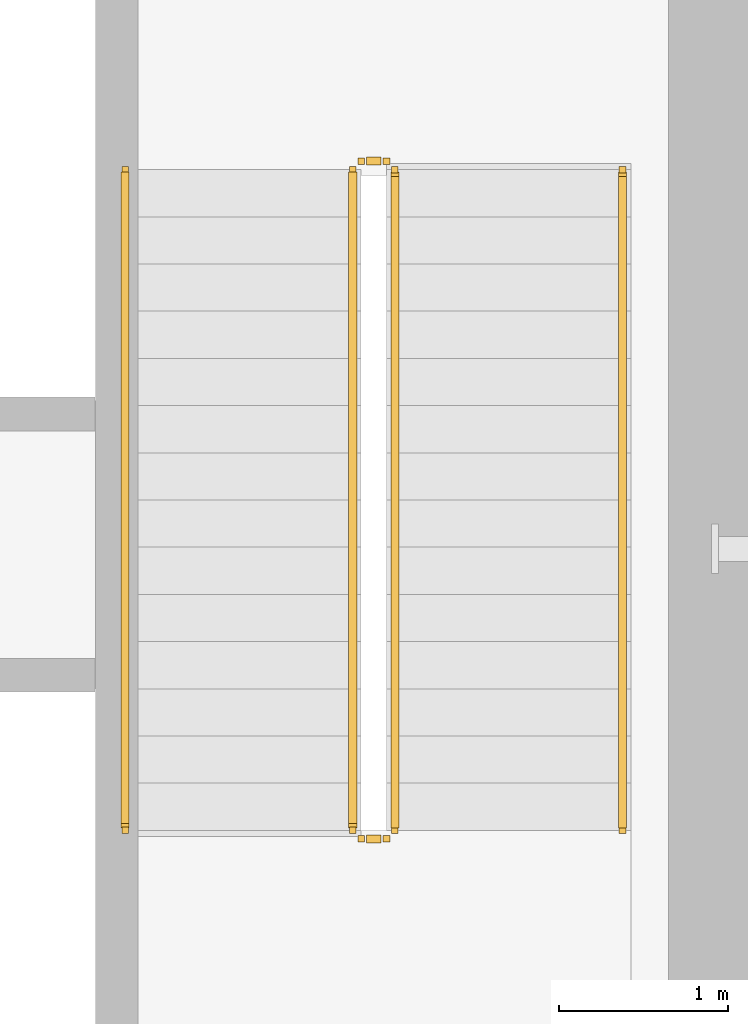
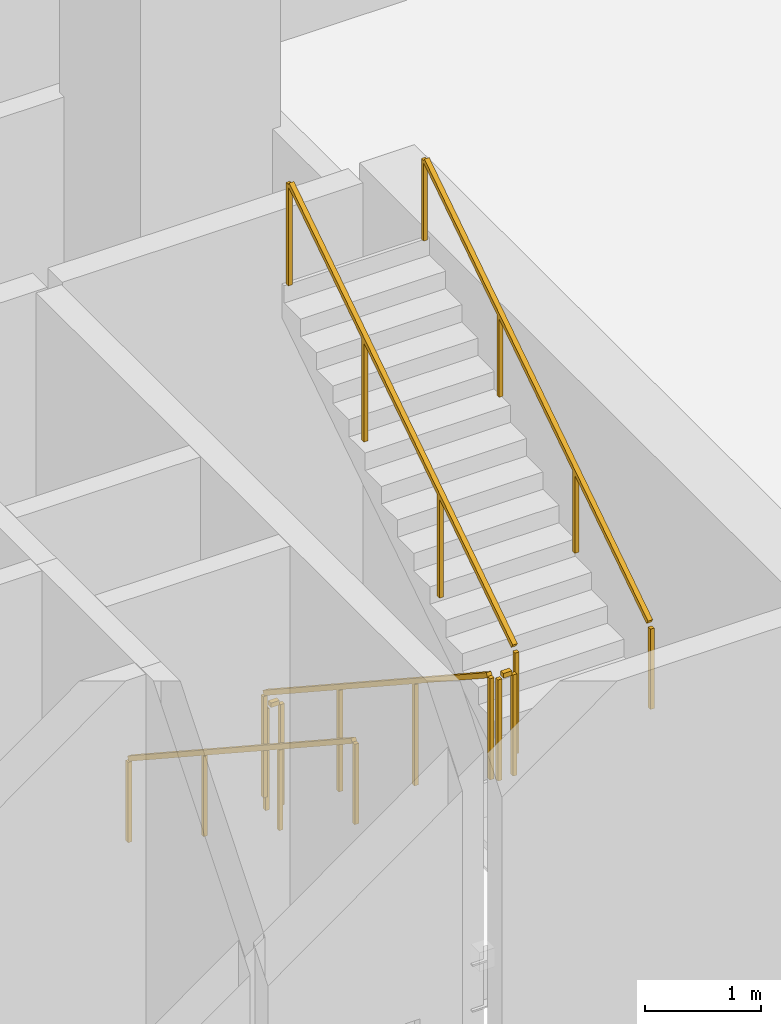
# One storey, part 17 of 19: 6 railings.
"""IFC4 building model written with IfcOpenShell, lengths in metres."""

from ifc_helpers import new_model, si_unit, direction, frame, origin, origin_2d, place, context, subcontext, project, spatial, rectangle, extrude, material, type_object, element, save


model = new_model("IFC4")

# Units and contexts
model_context = context("Model", 3, precision=1e-05, world=origin(), true_north=direction((0.0, 1.0)))
body_context = subcontext(model_context, "Body", "Model", "MODEL_VIEW")
ifc_project = project(units=[si_unit("LENGTHUNIT", "METRE"), si_unit("AREAUNIT", "SQUARE_METRE"), si_unit("VOLUMEUNIT", "CUBIC_METRE"), si_unit("PLANEANGLEUNIT", "RADIAN"), si_unit("MASSUNIT", "GRAM", prefix="KILO")], contexts=[model_context])

# Site, building, storey
site_placement = place(None, origin())
site = spatial("IfcSite", under=ifc_project, at=site_placement, CompositionType="ELEMENT")
building_placement = place(site_placement, origin())
building = spatial("IfcBuilding", under=site, at=building_placement, Name="Tharavind Bronze Gate", CompositionType="ELEMENT")
storey_placement = place(building_placement, frame((0.0, 0.0, 11.0)))
storey = spatial("IfcBuildingStorey", under=building, at=storey_placement, Name="L02", CompositionType="ELEMENT", Elevation=11.0)

# Railings
ifc_material = material(Name="Brushed Bronze Alloy", Category="metal")
railing_type_1 = type_object("IfcRailingType", Name="STAIR BRONZE HANDRAIL 900", PredefinedType="HANDRAIL", material=ifc_material)
railing_1_placement = place(storey_placement, frame((5.39990234375, 2.25, 0.183349609375)))
element("IfcRailing", 1, at=railing_1_placement, inside=storey, type_object=railing_type_1, Name="L02 ST2 stair handrail 1", PredefinedType="HANDRAIL", context=body_context, shape_type="SweptSolid", body=[
    extrude(rectangle(XDim=0.048095703125, YDim=0.048095703125, at=origin_2d()), frame((0.0, -0.02685546875, 0.893310546875), z_axis=(0.0, -0.836615117243, 0.547791151444), x_axis=(1.0, 0.0, 0.0)), (0.0, 0.0, 1.0), 4.621337890625),
    extrude(rectangle(XDim=0.0400390625, YDim=0.0400390625, at=origin_2d()), origin(), (0.0, 0.0, 1.0), 0.847900390625),
    extrude(rectangle(XDim=0.0400390625, YDim=0.0400390625, at=origin_2d()), frame((0.0, -1.306640625, 0.85546875)), (0.0, 0.0, 1.0), 0.847900390625),
    extrude(rectangle(XDim=0.0400390625, YDim=0.0400390625, at=origin_2d()), frame((0.0, -2.61328125, 1.711181640625)), (0.0, 0.0, 1.0), 0.847900390625),
    extrude(rectangle(XDim=0.0400390625, YDim=0.0400390625, at=origin_2d()), frame((0.0, -3.919921875, 2.566650390625)), (0.0, 0.0, 1.0), 0.847900390625),
])
railing_2_placement = place(storey_placement, frame((8.35009765625, -1.669921875, 2.933349609375)))
element("IfcRailing", 2, at=railing_2_placement, inside=storey, type_object=railing_type_1, Name="L02 ST2 stair handrail 2", PredefinedType="HANDRAIL", context=body_context, shape_type="SweptSolid", body=[
    extrude(rectangle(XDim=0.048095703125, YDim=0.048095703125, at=origin_2d()), frame((0.0, 0.02685546875, 0.893310546875), z_axis=(0.0, 0.836615117243, 0.547791151444), x_axis=(-1.0, 0.0, 0.0)), (0.0, 0.0, 1.0), 4.621337890625),
    extrude(rectangle(XDim=0.0400390625, YDim=0.0400390625, at=origin_2d()), origin(), (0.0, 0.0, 1.0), 0.847900390625),
    extrude(rectangle(XDim=0.0400390625, YDim=0.0400390625, at=origin_2d()), frame((0.0, 1.306640625, 0.85546875)), (0.0, 0.0, 1.0), 0.847900390625),
    extrude(rectangle(XDim=0.0400390625, YDim=0.0400390625, at=origin_2d()), frame((0.0, 2.61328125, 1.711181640625)), (0.0, 0.0, 1.0), 0.847900390625),
    extrude(rectangle(XDim=0.0400390625, YDim=0.0400390625, at=origin_2d()), frame((0.0, 3.919921875, 2.566650390625)), (0.0, 0.0, 1.0), 0.847900390625),
])
railing_type_2 = type_object("IfcRailingType", Name="STAIR WELL GUARD RAILING 1120", PredefinedType="GUARDRAIL", material=ifc_material)
railing_3_placement = place(storey_placement, frame((6.75, 2.25, 0.183349609375)))
element("IfcRailing", 3, at=railing_3_placement, inside=storey, type_object=railing_type_2, Name="L02 ST2 stair guard 1", PredefinedType="GUARDRAIL", context=body_context, shape_type="SweptSolid", body=[
    extrude(rectangle(XDim=0.048095703125, YDim=0.048095703125, at=origin_2d()), frame((0.0, -0.02685546875, 1.113525390625), z_axis=(0.0, -0.836615117243, 0.547791151444), x_axis=(1.0, 0.0, 0.0)), (0.0, 0.0, 1.0), 4.621337890625),
    extrude(rectangle(XDim=0.0400390625, YDim=0.0400390625, at=origin_2d()), origin(), (0.0, 0.0, 1.0), 1.068115234375),
    extrude(rectangle(XDim=0.0400390625, YDim=0.0400390625, at=origin_2d()), frame((0.0, -1.306640625, 0.85546875)), (0.0, 0.0, 1.0), 1.068115234375),
    extrude(rectangle(XDim=0.0400390625, YDim=0.0400390625, at=origin_2d()), frame((0.0, -2.61328125, 1.711181640625)), (0.0, 0.0, 1.0), 1.068115234375),
    extrude(rectangle(XDim=0.0400390625, YDim=0.0400390625, at=origin_2d()), frame((0.0, -3.919921875, 2.566650390625)), (0.0, 0.0, 1.0), 1.068115234375),
])
railing_4_placement = place(storey_placement, frame((6.800048828125, -1.719970703125, 2.75)))
element("IfcRailing", 4, at=railing_4_placement, inside=storey, type_object=railing_type_2, Name="L02 ST2 stair guard 2", PredefinedType="GUARDRAIL", context=body_context, shape_type="SweptSolid", body=[
    extrude(rectangle(XDim=0.048095703125, YDim=0.048095703125, at=origin_2d()), frame((0.031982421875, 0.0, 1.09619140625), z_axis=(1.0, 0.0, 0.0), x_axis=(0.0, 1.0, 0.0)), (0.0, 0.0, 1.0), 0.0859375),
    extrude(rectangle(XDim=0.0400390625, YDim=0.0400390625, at=origin_2d()), origin(), (0.0, 0.0, 1.0), 1.068115234375),
    extrude(rectangle(XDim=0.0400390625, YDim=0.0400390625, at=origin_2d()), frame((0.14990234375, 0.0, 0.0)), (0.0, 0.0, 1.0), 1.068115234375),
])
railing_5_placement = place(storey_placement, frame((7.0, -1.669921875, 2.933349609375)))
element("IfcRailing", 5, at=railing_5_placement, inside=storey, type_object=railing_type_2, Name="L02 ST2 stair guard 3", PredefinedType="GUARDRAIL", context=body_context, shape_type="SweptSolid", body=[
    extrude(rectangle(XDim=0.048095703125, YDim=0.048095703125, at=origin_2d()), frame((0.0, 0.02685546875, 1.113525390625), z_axis=(0.0, 0.836615117243, 0.547791151444), x_axis=(-1.0, 0.0, 0.0)), (0.0, 0.0, 1.0), 4.621337890625),
    extrude(rectangle(XDim=0.0400390625, YDim=0.0400390625, at=origin_2d()), origin(), (0.0, 0.0, 1.0), 1.068115234375),
    extrude(rectangle(XDim=0.0400390625, YDim=0.0400390625, at=origin_2d()), frame((0.0, 1.306640625, 0.85546875)), (0.0, 0.0, 1.0), 1.068115234375),
    extrude(rectangle(XDim=0.0400390625, YDim=0.0400390625, at=origin_2d()), frame((0.0, 2.61328125, 1.711181640625)), (0.0, 0.0, 1.0), 1.068115234375),
    extrude(rectangle(XDim=0.0400390625, YDim=0.0400390625, at=origin_2d()), frame((0.0, 3.919921875, 2.566650390625)), (0.0, 0.0, 1.0), 1.068115234375),
])
railing_6_placement = place(storey_placement, frame((6.800048828125, 2.300048828125, 0.0)))
element("IfcRailing", 6, at=railing_6_placement, inside=storey, type_object=railing_type_2, Name="L02 ST2 stair guard 4", PredefinedType="GUARDRAIL", context=body_context, shape_type="SweptSolid", body=[
    extrude(rectangle(XDim=0.048095703125, YDim=0.048095703125, at=origin_2d()), frame((0.031982421875, 0.0, 1.09619140625), z_axis=(1.0, 0.0, 0.0), x_axis=(0.0, 1.0, 0.0)), (0.0, 0.0, 1.0), 0.0859375),
    extrude(rectangle(XDim=0.0400390625, YDim=0.0400390625, at=origin_2d()), origin(), (0.0, 0.0, 1.0), 1.068115234375),
    extrude(rectangle(XDim=0.0400390625, YDim=0.0400390625, at=origin_2d()), frame((0.14990234375, 0.0, 0.0)), (0.0, 0.0, 1.0), 1.068115234375),
])

save(model, "model.ifc")
